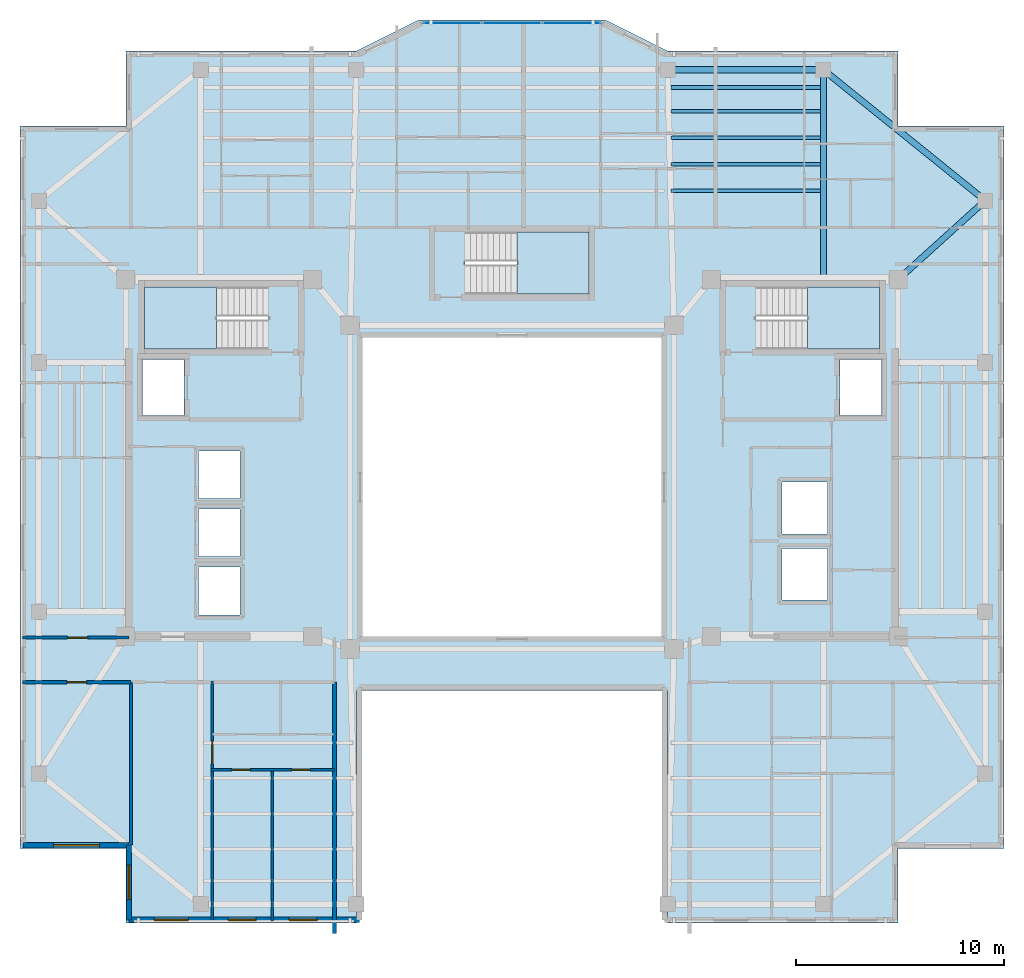
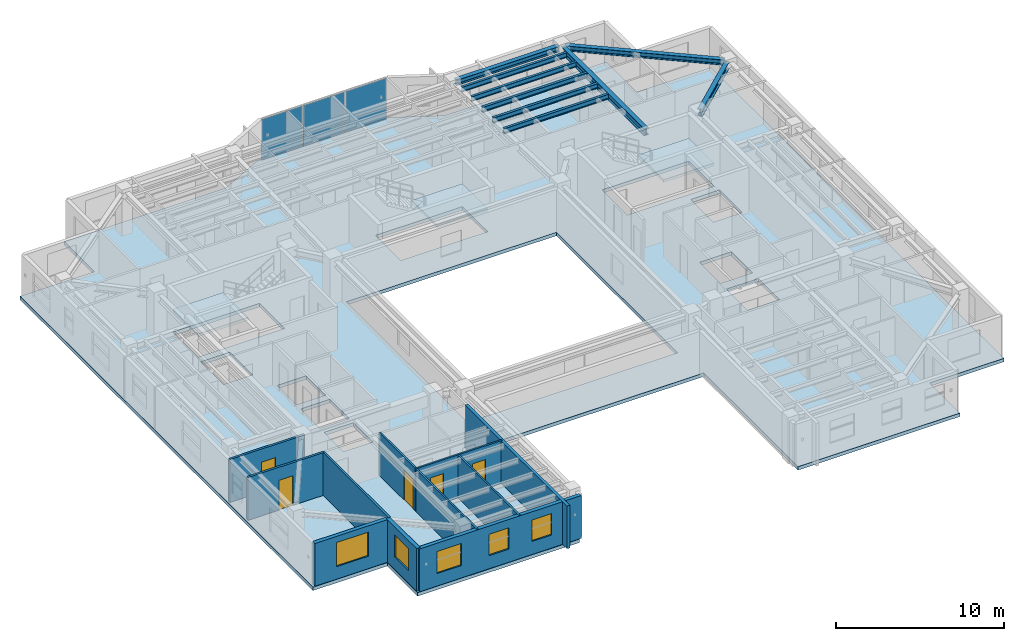
# One storey, part 3 of 12: 10 walls, 9 beams, 5 doors, 5 windows, 4 slabs, 3 plates, 10 openings, 4 elements without a shape of their own.
"""IFC4 building model written with IfcOpenShell, lengths in metres."""

from ifc_helpers import new_model, si_unit, direction, frame, frame_2d, origin, origin_2d, place, context, subcontext, project, spatial, polyline, rectangle, i_section, outline, extrude, material, layer, layer_set, material_profile, profile_set, type_object, element, fill, aggregate, save


model = new_model("IFC4")

# Units and contexts
model_context = context("Model", 3, precision=1e-05, world=origin(), true_north=direction((0.0, 1.0)))
body_context = subcontext(model_context, "Body", "Model", "MODEL_VIEW")
ifc_project = project(units=[si_unit("LENGTHUNIT", "METRE"), si_unit("AREAUNIT", "SQUARE_METRE"), si_unit("VOLUMEUNIT", "CUBIC_METRE"), si_unit("PLANEANGLEUNIT", "RADIAN"), si_unit("MASSUNIT", "GRAM", prefix="KILO")], contexts=[model_context])

# Site, building, storey
site_placement = place(None, origin())
site = spatial("IfcSite", under=ifc_project, at=site_placement, CompositionType="ELEMENT")
building_placement = place(site_placement, origin())
building = spatial("IfcBuilding", under=site, at=building_placement, Name="Tarnavaz Court Tower", CompositionType="ELEMENT")
storey_placement = place(building_placement, frame((0.0, 0.0, 203.64990234375)))
storey = spatial("IfcBuildingStorey", under=building, at=storey_placement, Name="L55", CompositionType="ELEMENT", Elevation=203.64990234375)

# Beams
ifc_material_1 = material(Name="Steel S355", Category="steel")
ifc_material_profile_1 = material_profile(ifc_material_1, i_section(OverallWidth=0.300048828125, OverallDepth=0.5, WebThickness=0.014404296875, FlangeThickness=0.028076171875, FilletRadius=0.027099609375, at=origin_2d()), Name="HEB 500")
ifc_profile_set_1 = profile_set([ifc_material_profile_1], Name="Steel S355")
beam_type_1 = type_object("IfcBeamType", Name="BM-G-HEB500", PredefinedType="USERDEFINED", material=ifc_profile_set_1)
beam_1_placement = place(storey_placement, frame((15.0, 10.0400390625, 2.85009765625), z_axis=(0.0, 1.0, 0.0), x_axis=(-1.0, 0.0, 0.0)))
element("IfcBeam", 1, at=beam_1_placement, inside=storey, type_object=beam_type_1, Name="L55 Beam RG-04", ObjectType="GIRDER", PredefinedType="USERDEFINED", context=body_context, shape_type="SweptSolid", body=[
    extrude(i_section(OverallWidth=0.300048828125, OverallDepth=0.5, WebThickness=0.014404296875, FlangeThickness=0.028076171875, FilletRadius=0.027099609375, at=origin_2d()), origin(), (0.0, 0.0, 1.0), 9.83984375),
])
beam_2_placement = place(storey_placement, frame((18.76318359375, 10.147705078125, 2.85009765625), z_axis=(0.741555708494, 0.670891296113, 0.0), x_axis=(-0.670891296113, 0.741555708494, 0.0)))
element("IfcBeam", 2, at=beam_2_placement, inside=storey, type_object=beam_type_1, Name="L55 Beam RG-12", ObjectType="GIRDER", PredefinedType="USERDEFINED", context=body_context, shape_type="SweptSolid", body=[
    extrude(i_section(OverallWidth=0.300048828125, OverallDepth=0.5, WebThickness=0.014404296875, FlangeThickness=0.028076171875, FilletRadius=0.027099609375, at=origin_2d()), origin(), (0.0, 0.0, 1.0), 5.223876953125),
])
ifc_material_profile_2 = material_profile(ifc_material_1, i_section(OverallWidth=0.169921875, OverallDepth=0.360107421875, WebThickness=0.008056640625, FlangeThickness=0.0126953125, FilletRadius=0.01806640625, at=origin_2d()), Name="IPE 360")
ifc_profile_set_2 = profile_set([ifc_material_profile_2], Name="Steel S355")
beam_type_2 = type_object("IfcBeamType", Name="BM-J-IPE360", PredefinedType="JOIST", material=ifc_profile_set_2)
for number, where, z_axis, x_axis, name in (
    (3, (7.64990234375, 14.278076171875, 2.920166015625), (1.0, 0.0, 0.0), (0.0, 1.0, 0.0), "L55 Beam JN1-3"),
    (4, (7.64990234375, 15.555908203125, 2.920166015625), (1.0, 0.0, 0.0), (0.0, 1.0, 0.0), "L55 Beam JN2-3"),
    (5, (7.64990234375, 16.833984375, 2.920166015625), (1.0, 0.0, 0.0), (0.0, 1.0, 0.0), "L55 Beam JN3-3"),
    (6, (7.64990234375, 18.112060546875, 2.920166015625), (1.0, 0.0, 0.0), (0.0, 1.0, 0.0), "L55 Beam JN4-3"),
    (7, (7.64990234375, 19.248046875, 2.920166015625), (1.0, 0.0, 0.0), (0.0, 1.0, 0.0), "L55 Beam JN5-3"),
):
    element("IfcBeam", number, at=place(storey_placement, frame(where, z_axis=z_axis, x_axis=x_axis)), inside=storey, type_object=beam_type_2, Name=name, PredefinedType="JOIST", context=body_context, shape_type="SweptSolid", body=[
        extrude(i_section(OverallWidth=0.169921875, OverallDepth=0.360107421875, WebThickness=0.008056640625, FlangeThickness=0.0126953125, FilletRadius=0.01806640625, at=origin_2d()), origin(), (0.0, 0.0, 1.0), 7.2001953125),
    ])
ifc_material_profile_3 = material_profile(ifc_material_1, i_section(OverallWidth=0.300048828125, OverallDepth=0.389892578125, WebThickness=0.010986328125, FlangeThickness=0.01904296875, FilletRadius=0.027099609375, at=origin_2d()), Name="HEA 400")
ifc_profile_set_3 = profile_set([ifc_material_profile_3], Name="Steel S355")
beam_type_3 = type_object("IfcBeamType", Name="BM-SP-HEA400", PredefinedType="BEAM", material=ifc_profile_set_3)
beam_3_placement = place(storey_placement, frame((7.719970703125, 20.10009765625, 2.905029296875), z_axis=(1.0, 0.0, 0.0), x_axis=(0.0, 1.0, 0.0)))
element("IfcBeam", 8, at=beam_3_placement, inside=storey, type_object=beam_type_3, Name="L55 Beam PR-PN-3-PN-4", PredefinedType="BEAM", context=body_context, shape_type="SweptSolid", body=[
    extrude(i_section(OverallWidth=0.300048828125, OverallDepth=0.389892578125, WebThickness=0.010986328125, FlangeThickness=0.01904296875, FilletRadius=0.027099609375, at=origin_2d()), origin(), (0.0, 0.0, 1.0), 7.06005859375),
])
beam_4_placement = place(storey_placement, frame((15.171142578125, 19.9619140625, 2.905029296875), z_axis=(0.777935913531, -0.628343627674, 0.0), x_axis=(0.628343627674, 0.777935913531, 0.0)))
element("IfcBeam", 9, at=beam_4_placement, inside=storey, type_object=beam_type_3, Name="L55 Beam PR-PN-4-PE-4", PredefinedType="BEAM", context=body_context, shape_type="SweptSolid", body=[
    extrude(i_section(OverallWidth=0.300048828125, OverallDepth=0.389892578125, WebThickness=0.010986328125, FlangeThickness=0.01904296875, FilletRadius=0.027099609375, at=origin_2d()), origin(), (0.0, 0.0, 1.0), 9.586669921875),
])

# Curtain wall, plates
ifc_material_2 = material(Name="Anodised Aluminium 6063-T6 and Solar Low-E Glazing", Category="aluminium")
ifc_layer_1 = layer(ifc_material_2, 0.159912109375)
ifc_layer_set_1 = layer_set([ifc_layer_1], Name="Anodised Aluminium 6063-T6 and Solar Low-E Glazing")
curtain_wall_type = type_object("IfcCurtainWallType", Name="CW-SYS-03", PredefinedType="NOTDEFINED", material=ifc_layer_set_1)
curtain_wall_placement = place(storey_placement, origin())
curtain_wall = element("IfcCurtainWall", 10, at=curtain_wall_placement, inside=storey, type_object=curtain_wall_type, Name="L55 Iwan Prow Curtain Wall 7", PredefinedType="NOTDEFINED")
ifc_material_3 = material(Name="Double-Glazed Solar Low-E Glass", Category="glass")
ifc_layer_2 = layer(ifc_material_3, 0.028076171875)
ifc_layer_set_2 = layer_set([ifc_layer_2], Name="Double-Glazed Solar Low-E Glass")
plate_type = type_object("IfcPlateType", Name="CW-PAN-GLZ28", PredefinedType="CURTAIN_PANEL", material=ifc_layer_set_2)
plate_1_placement = place(storey_placement, frame((-2.88134765625, 22.35009765625, 0.06494140625), z_axis=(0.0, 0.0, 1.0), x_axis=(1.0, 0.0, 0.0)))
plate_1 = element("IfcPlate", 11, at=plate_1_placement, type_object=plate_type, Name="CW panel 1.1", PredefinedType="CURTAIN_PANEL", context=body_context, shape_type="SweptSolid", body=[
    extrude(rectangle(XDim=2.78759765625, YDim=0.028076171875, at=origin_2d()), origin(), (0.0, 0.0, 1.0), 2.969970703125),
])
plate_2_placement = place(storey_placement, frame((0.0, 22.35009765625, 0.06494140625), z_axis=(0.0, 0.0, 1.0), x_axis=(1.0, 0.0, 0.0)))
plate_2 = element("IfcPlate", 12, at=plate_2_placement, type_object=plate_type, Name="CW panel 2.1", PredefinedType="CURTAIN_PANEL", context=body_context, shape_type="SweptSolid", body=[
    extrude(rectangle(XDim=2.824951171875, YDim=0.028076171875, at=origin_2d()), origin(), (0.0, 0.0, 1.0), 2.969970703125),
])
plate_3_placement = place(storey_placement, frame((2.88134765625, 22.35009765625, 0.06494140625), z_axis=(0.0, 0.0, 1.0), x_axis=(1.0, 0.0, 0.0)))
plate_3 = element("IfcPlate", 13, at=plate_3_placement, type_object=plate_type, Name="CW panel 3.1", PredefinedType="CURTAIN_PANEL", context=body_context, shape_type="SweptSolid", body=[
    extrude(rectangle(XDim=2.78759765625, YDim=0.028076171875, at=origin_2d()), origin(), (0.0, 0.0, 1.0), 2.969970703125),
])
aggregate(curtain_wall, [plate_1, plate_2, plate_3])

# Stair, slab
ifc_material_4 = material(Name="Concrete C40/50", Category="concrete")
stair_type = type_object("IfcStairType", Name="ST-TWR-20R", PredefinedType="HALF_TURN_STAIR", material=ifc_material_4)
stair_1_placement = place(storey_placement, origin())
stair_1 = element("IfcStair", 14, at=stair_1_placement, inside=storey, type_object=stair_type, Name="L55 West Core Pressurized Exit Stair ST-W1", PredefinedType="HALF_TURN_STAIR")
ifc_layer_3 = layer(ifc_material_4, 0.199951171875)
ifc_layer_set_3 = layer_set([ifc_layer_3], Name="Concrete C40/50")
slab_type_1 = type_object("IfcSlabType", Name="SL-LAND-200", PredefinedType="LANDING", material=ifc_layer_set_3)
slab_1_placement = place(storey_placement, frame((0.0, 0.0, 1.47509765625)))
slab_1 = element("IfcSlab", 15, at=slab_1_placement, type_object=slab_type_1, Name="ST-W1 landing 1", PredefinedType="LANDING", context=body_context, shape_type="SweptSolid", body=[
    extrude(outline(polyline([(-14.239990234375, 9.639892578125), (-17.699951171875, 9.639892578125), (-17.699951171875, 6.64990234375), (-14.239990234375, 6.64990234375), (-14.239990234375, 9.639892578125)])), origin(), (0.0, 0.0, 1.0), 0.199951171875),
])
aggregate(stair_1, [slab_1])

stair_2_placement = place(storey_placement, origin())
stair_2 = element("IfcStair", 16, at=stair_2_placement, inside=storey, type_object=stair_type, Name="L55 East Core Pressurized Exit Stair ST-E1", PredefinedType="HALF_TURN_STAIR")
slab_2_placement = place(storey_placement, frame((0.0, 0.0, 1.47509765625)))
slab_2 = element("IfcSlab", 17, at=slab_2_placement, type_object=slab_type_1, Name="ST-E1 landing 1", PredefinedType="LANDING", context=body_context, shape_type="SweptSolid", body=[
    extrude(outline(polyline([(14.239990234375, 6.64990234375), (17.699951171875, 6.64990234375), (17.699951171875, 9.639892578125), (14.239990234375, 9.639892578125), (14.239990234375, 6.64990234375)])), origin(), (0.0, 0.0, 1.0), 0.199951171875),
])
aggregate(stair_2, [slab_2])

stair_3_placement = place(storey_placement, origin())
stair_3 = element("IfcStair", 18, at=stair_3_placement, inside=storey, type_object=stair_type, Name="L55 North Ring Pressurized Exit Stair ST-N1", PredefinedType="HALF_TURN_STAIR")
slab_3_placement = place(storey_placement, frame((0.0, 0.0, 1.47509765625)))
slab_3 = element("IfcSlab", 19, at=slab_3_placement, type_object=slab_type_1, Name="ST-N1 landing 1", PredefinedType="LANDING", context=body_context, shape_type="SweptSolid", body=[
    extrude(outline(polyline([(0.239990234375, 9.300048828125), (3.699951171875, 9.300048828125), (3.699951171875, 12.2900390625), (0.239990234375, 12.2900390625), (0.239990234375, 9.300048828125)])), origin(), (0.0, 0.0, 1.0), 0.199951171875),
])
aggregate(stair_3, [slab_3])

# Slab
ifc_layer_4 = layer(ifc_material_4, 0.25)
ifc_layer_set_4 = layer_set([ifc_layer_4], Name="Concrete C40/50")
slab_type_2 = type_object("IfcSlabType", Name="SL-RES-250", PredefinedType="FLOOR", material=ifc_layer_set_4)
slab_4_placement = place(storey_placement, frame((0.0, 0.0, -0.25)))
element("IfcSlab", 20, at=slab_4_placement, inside=storey, type_object=slab_type_2, Name="L55 Structural Floor Slab", PredefinedType="FLOOR", context=body_context, shape_type="SweptSolid", body=[
    extrude(outline(polyline([(-18.60009765625, -21.0), (-7.5, -21.0), (-7.5, -9.800048828125), (7.5, -9.800048828125), (7.5, -21.0), (18.60009765625, -21.0), (18.60009765625, -17.39990234375), (23.699951171875, -17.39990234375), (23.699951171875, 17.39990234375), (18.60009765625, 17.39990234375), (18.60009765625, 21.0), (7.5, 21.0), (4.5, 22.5), (-4.5, 22.5), (-7.5, 21.0), (-18.60009765625, 21.0), (-18.60009765625, 17.39990234375), (-23.699951171875, 17.39990234375), (-23.699951171875, -17.39990234375), (-18.60009765625, -17.39990234375), (-18.60009765625, -21.0)]), holes=[polyline([(-7.199951171875, -7.199951171875), (7.199951171875, -7.199951171875), (7.199951171875, 7.199951171875), (-7.199951171875, 7.199951171875), (-7.199951171875, -7.199951171875)]), polyline([(-11.7451171875, 9.639892578125), (-17.699951171875, 9.639892578125), (-17.699951171875, 6.64990234375), (-11.7451171875, 6.64990234375), (-11.7451171875, 9.639892578125)]), polyline([(11.7451171875, 6.64990234375), (17.699951171875, 6.64990234375), (17.699951171875, 9.639892578125), (11.7451171875, 9.639892578125), (11.7451171875, 6.64990234375)]), polyline([(-2.2548828125, 9.300048828125), (3.699951171875, 9.300048828125), (3.699951171875, 12.2900390625), (-2.2548828125, 12.2900390625), (-2.2548828125, 9.300048828125)]), polyline([(-17.800048828125, 3.449951171875), (-15.800048828125, 3.449951171875), (-15.800048828125, 6.14990234375), (-17.800048828125, 6.14990234375), (-17.800048828125, 3.449951171875)]), polyline([(-15.10009765625, -6.14990234375), (-13.10009765625, -6.14990234375), (-13.10009765625, -3.85009765625), (-15.10009765625, -3.85009765625), (-15.10009765625, -6.14990234375)]), polyline([(-15.10009765625, -3.35009765625), (-13.10009765625, -3.35009765625), (-13.10009765625, -1.050048828125), (-15.10009765625, -1.050048828125), (-15.10009765625, -3.35009765625)]), polyline([(-15.10009765625, -0.550048828125), (-13.10009765625, -0.550048828125), (-13.10009765625, 1.75), (-15.10009765625, 1.75), (-15.10009765625, -0.550048828125)]), polyline([(15.800048828125, 3.449951171875), (17.800048828125, 3.449951171875), (17.800048828125, 6.14990234375), (15.800048828125, 6.14990234375), (15.800048828125, 3.449951171875)]), polyline([(13.0, -5.449951171875), (15.199951171875, -5.449951171875), (15.199951171875, -2.949951171875), (13.0, -2.949951171875), (13.0, -5.449951171875)]), polyline([(13.0, -2.25), (15.199951171875, -2.25), (15.199951171875, 0.25), (13.0, 0.25), (13.0, -2.25)])]), origin(), (0.0, 0.0, 1.0), 0.25),
])

# Wall, opening, window
ifc_material_5 = material(Name="Precast Concrete C40/50", Category="concrete")
ifc_layer_5 = layer(ifc_material_5, 0.260009765625)
ifc_layer_set_5 = layer_set([ifc_layer_5], Name="Precast Concrete C40/50")
wall_type_1 = type_object("IfcWallType", Name="WL-EXT-260", PredefinedType="SOLIDWALL", material=ifc_layer_set_5)
wall_1_placement = place(storey_placement, frame((-18.449951171875, -17.25, 0.0), z_axis=(0.0, 0.0, 1.0), x_axis=(-1.0, 0.0, 0.0)))
wall_1 = element("IfcWall", 21, at=wall_1_placement, inside=storey, type_object=wall_type_1, Name="L55 Exterior Terracotta Facade Wall 01", PredefinedType="SOLIDWALL", context=body_context, shape_type="SweptSolid", body=[
    extrude(rectangle(XDim=5.10009765625, YDim=0.260009765625, at=frame_2d((2.550048828125, 0.0))), origin(), (0.0, 0.0, 1.0), 3.10009765625),
])
opening_1_placement = place(wall_1_placement, frame((1.425048828125, 0.0, 0.89990234375)))
opening_1 = element("IfcOpeningElement", 22, at=opening_1_placement, cuts=wall_1, Name="Opening W07", PredefinedType="OPENING", context=body_context, shape_type="SweptSolid", body=[
    extrude(rectangle(XDim=2.199951171875, YDim=1.75, at=frame_2d((1.10009765625, 0.875))), frame((0.0, 0.139892578125, 0.0), z_axis=(0.0, -1.0, 0.0), x_axis=(1.0, 0.0, 0.0)), (0.0, 0.0, 1.0), 0.280029296875),
])
window_type_1 = type_object("IfcWindowType", Name="WN-APT-2200", PartitioningType="TRIPLE_PANEL_VERTICAL", PredefinedType="WINDOW", material=ifc_material_3)
window_1_placement = place(opening_1_placement, origin())
window_1 = element("IfcWindow", 23, at=window_1_placement, inside=storey, type_object=window_type_1, Name="L55 South-West Corner Reading Room Window", OverallHeight=1.75, OverallWidth=2.199951171875, PartitioningType="SINGLE_PANEL", PredefinedType="WINDOW", context=body_context, shape_type="SweptSolid", body=[
    extrude(rectangle(XDim=2.199951171875, YDim=1.75, at=frame_2d((1.10009765625, 0.875))), frame((0.0, 0.030029296875, 0.0), z_axis=(0.0, -1.0, 0.0), x_axis=(1.0, 0.0, 0.0)), (0.0, 0.0, 1.0), 0.06005859375),
])
fill(opening_1, window_1)

# Wall, openings, windows
wall_2_placement = place(storey_placement, frame((-7.35009765625, -20.85009765625, 0.0), z_axis=(0.0, 0.0, 1.0), x_axis=(-1.0, 0.0, 0.0)))
wall_2 = element("IfcWall", 24, at=wall_2_placement, inside=storey, type_object=wall_type_1, Name="L55 Exterior Terracotta Facade Wall 19", PredefinedType="SOLIDWALL", context=body_context, shape_type="SweptSolid", body=[
    extrude(rectangle(XDim=11.099853515625, YDim=0.260009765625, at=frame_2d((5.5498046875, 0.0))), origin(), (0.0, 0.0, 1.0), 3.10009765625),
])
opening_2_placement = place(wall_2_placement, frame((2.037109375, 0.0, 0.949951171875)))
opening_2 = element("IfcOpeningElement", 25, at=opening_2_placement, cuts=wall_2, Name="Opening W04", PredefinedType="OPENING", context=body_context, shape_type="SweptSolid", body=[
    extrude(rectangle(XDim=1.35009765625, YDim=1.550048828125, at=frame_2d((0.675048828125, 0.77490234375))), frame((0.0, 0.139892578125, 0.0), z_axis=(0.0, -1.0, 0.0), x_axis=(1.0, 0.0, 0.0)), (0.0, 0.0, 1.0), 0.280029296875),
])
opening_3_placement = place(wall_2_placement, frame((4.9755859375, 0.0, 0.949951171875)))
opening_3 = element("IfcOpeningElement", 26, at=opening_3_placement, cuts=wall_2, Name="Opening W04", PredefinedType="OPENING", context=body_context, shape_type="SweptSolid", body=[
    extrude(rectangle(XDim=1.35009765625, YDim=1.550048828125, at=frame_2d((0.675048828125, 0.77490234375))), frame((0.0, 0.139892578125, 0.0), z_axis=(0.0, -1.0, 0.0), x_axis=(1.0, 0.0, 0.0)), (0.0, 0.0, 1.0), 0.280029296875),
])
opening_4_placement = place(wall_2_placement, frame((8.24072265625, 0.0, 0.89990234375)))
opening_4 = element("IfcOpeningElement", 27, at=opening_4_placement, cuts=wall_2, Name="Opening W02", PredefinedType="OPENING", context=body_context, shape_type="SweptSolid", body=[
    extrude(rectangle(XDim=1.64990234375, YDim=1.60009765625, at=frame_2d((0.824951171875, 0.800048828125))), frame((0.0, 0.139892578125, 0.0), z_axis=(0.0, -1.0, 0.0), x_axis=(1.0, 0.0, 0.0)), (0.0, 0.0, 1.0), 0.280029296875),
])
window_type_2 = type_object("IfcWindowType", Name="WN-APT-1350", PartitioningType="SINGLE_PANEL", PredefinedType="WINDOW", material=ifc_material_3)
window_2_placement = place(opening_2_placement, origin())
window_2 = element("IfcWindow", 28, at=window_2_placement, inside=storey, type_object=window_type_2, Name="L55 Flat 05 Bedroom 2 Window", OverallHeight=1.550048828125, OverallWidth=1.35009765625, PartitioningType="SINGLE_PANEL", PredefinedType="WINDOW", context=body_context, shape_type="SweptSolid", body=[
    extrude(rectangle(XDim=1.35009765625, YDim=1.550048828125, at=frame_2d((0.675048828125, 0.77490234375))), frame((0.0, 0.030029296875, 0.0), z_axis=(0.0, -1.0, 0.0), x_axis=(1.0, 0.0, 0.0)), (0.0, 0.0, 1.0), 0.06005859375),
])
fill(opening_2, window_2)
window_3_placement = place(opening_3_placement, origin())
window_3 = element("IfcWindow", 29, at=window_3_placement, inside=storey, type_object=window_type_2, Name="L55 Flat 05 Principal Bedroom Window", OverallHeight=1.550048828125, OverallWidth=1.35009765625, PartitioningType="SINGLE_PANEL", PredefinedType="WINDOW", context=body_context, shape_type="SweptSolid", body=[
    extrude(rectangle(XDim=1.35009765625, YDim=1.550048828125, at=frame_2d((0.675048828125, 0.77490234375))), frame((0.0, 0.030029296875, 0.0), z_axis=(0.0, -1.0, 0.0), x_axis=(1.0, 0.0, 0.0)), (0.0, 0.0, 1.0), 0.06005859375),
])
fill(opening_3, window_3)
window_type_3 = type_object("IfcWindowType", Name="WN-APT-1650", PartitioningType="DOUBLE_PANEL_VERTICAL", PredefinedType="WINDOW", material=ifc_material_3)
window_4_placement = place(opening_4_placement, origin())
window_4 = element("IfcWindow", 30, at=window_4_placement, inside=storey, type_object=window_type_3, Name="L55 Flat 05 Living and Dining Room Window", OverallHeight=1.60009765625, OverallWidth=1.64990234375, PartitioningType="SINGLE_PANEL", PredefinedType="WINDOW", context=body_context, shape_type="SweptSolid", body=[
    extrude(rectangle(XDim=1.64990234375, YDim=1.60009765625, at=frame_2d((0.824951171875, 0.800048828125))), frame((0.0, 0.030029296875, 0.0), z_axis=(0.0, -1.0, 0.0), x_axis=(1.0, 0.0, 0.0)), (0.0, 0.0, 1.0), 0.06005859375),
])
fill(opening_4, window_4)

# Wall, opening, window
wall_3_placement = place(storey_placement, frame((-18.449951171875, -20.85009765625, 0.0), z_axis=(0.0, 0.0, 1.0), x_axis=(0.0, 1.0, 0.0)))
wall_3 = element("IfcWall", 31, at=wall_3_placement, inside=storey, type_object=wall_type_1, Name="L55 Exterior Terracotta Facade Wall 20", PredefinedType="SOLIDWALL", context=body_context, shape_type="SweptSolid", body=[
    extrude(rectangle(XDim=3.60009765625, YDim=0.260009765625, at=frame_2d((1.800048828125, 0.0))), origin(), (0.0, 0.0, 1.0), 3.10009765625),
])
opening_5_placement = place(wall_3_placement, frame((0.992431640625, 0.0, 0.89990234375)))
opening_5 = element("IfcOpeningElement", 32, at=opening_5_placement, cuts=wall_3, Name="Opening W02", PredefinedType="OPENING", context=body_context, shape_type="SweptSolid", body=[
    extrude(rectangle(XDim=1.64990234375, YDim=1.60009765625, at=frame_2d((0.824951171875, 0.800048828125))), frame((0.0, 0.139892578125, 0.0), z_axis=(0.0, -1.0, 0.0), x_axis=(1.0, 0.0, 0.0)), (0.0, 0.0, 1.0), 0.280029296875),
])
window_5_placement = place(opening_5_placement, origin())
window_5 = element("IfcWindow", 33, at=window_5_placement, inside=storey, type_object=window_type_3, Name="L55 Flat 05 Living and Dining Room Window", OverallHeight=1.60009765625, OverallWidth=1.64990234375, PartitioningType="SINGLE_PANEL", PredefinedType="WINDOW", context=body_context, shape_type="SweptSolid", body=[
    extrude(rectangle(XDim=1.64990234375, YDim=1.60009765625, at=frame_2d((0.824951171875, 0.800048828125))), frame((0.0, 0.030029296875, 0.0), z_axis=(0.0, -1.0, 0.0), x_axis=(1.0, 0.0, 0.0)), (0.0, 0.0, 1.0), 0.06005859375),
])
fill(opening_5, window_5)

# Wall, opening, door
ifc_material_6 = material(Name="Gypsum Fire-Board on Acoustic Metal Stud", Category="masonry")
ifc_layer_6 = layer(ifc_material_6, 0.14990234375)
ifc_layer_set_6 = layer_set([ifc_layer_6], Name="Gypsum Fire-Board on Acoustic Metal Stud")
wall_type_2 = type_object("IfcWallType", Name="WL-FIRE-150", PredefinedType="PARTITIONING", material=ifc_layer_set_6)
wall_4_placement = place(storey_placement, frame((-23.580078125, -7.25, 0.0), z_axis=(0.0, 0.0, 1.0), x_axis=(1.0, 0.0, 0.0)))
wall_4 = element("IfcWall", 34, at=wall_4_placement, inside=storey, type_object=wall_type_2, Name="L55 Interior Partition 103", PredefinedType="PARTITIONING", context=body_context, shape_type="SweptSolid", body=[
    extrude(rectangle(XDim=5.130126953125, YDim=0.14990234375, at=frame_2d((2.56494140625, 0.0))), origin(), (0.0, 0.0, 1.0), 3.10009765625),
])
opening_6_placement = place(wall_4_placement, frame((2.179931640625, 0.0, 0.0)))
opening_6 = element("IfcOpeningElement", 35, at=opening_6_placement, cuts=wall_4, Name="Opening D06", PredefinedType="OPENING", context=body_context, shape_type="SweptSolid", body=[
    extrude(rectangle(XDim=0.9599609375, YDim=2.14990234375, at=frame_2d((0.47998046875, 1.074951171875))), frame((0.0, 0.0849609375, 0.0), z_axis=(0.0, -1.0, 0.0), x_axis=(1.0, 0.0, 0.0)), (0.0, 0.0, 1.0), 0.169921875),
])
ifc_material_7 = material(Name="Fire-Rated Hardwood Timber Core", Category="wood")
door_type_1 = type_object("IfcDoorType", Name="DR-FD60-950", OperationType="NOTDEFINED", PredefinedType="DOOR", material=ifc_material_7)
door_1_placement = place(opening_6_placement, origin())
door_1 = element("IfcDoor", 36, at=door_1_placement, inside=storey, type_object=door_type_1, Name="L55 Flat 07 Entrance Door", OperationType="SINGLE_SWING_RIGHT", OverallHeight=2.14990234375, OverallWidth=0.9599609375, PredefinedType="DOOR", context=body_context, shape_type="SweptSolid", body=[
    extrude(rectangle(XDim=0.9599609375, YDim=2.14990234375, at=frame_2d((0.47998046875, 1.074951171875))), frame((0.0, 0.02490234375, 0.0), z_axis=(0.0, -1.0, 0.0), x_axis=(1.0, 0.0, 0.0)), (0.0, 0.0, 1.0), 0.050048828125),
])
fill(opening_6, door_1)

wall_5_placement = place(storey_placement, frame((-23.580078125, -9.39990234375, 0.0), z_axis=(0.0, 0.0, 1.0), x_axis=(1.0, 0.0, 0.0)))
wall_5 = element("IfcWall", 37, at=wall_5_placement, inside=storey, type_object=wall_type_2, Name="L55 Interior Partition 113", PredefinedType="PARTITIONING", context=body_context, shape_type="SweptSolid", body=[
    extrude(rectangle(XDim=5.22998046875, YDim=0.14990234375, at=frame_2d((2.614990234375, 0.0))), origin(), (0.0, 0.0, 1.0), 3.10009765625),
])
opening_7_placement = place(wall_5_placement, frame((2.139892578125, 0.0, 0.0)))
opening_7 = element("IfcOpeningElement", 38, at=opening_7_placement, cuts=wall_5, Name="Opening D13", PredefinedType="OPENING", context=body_context, shape_type="SweptSolid", body=[
    extrude(rectangle(XDim=0.949951171875, YDim=2.14990234375, at=frame_2d((0.47509765625, 1.074951171875))), frame((0.0, 0.0849609375, 0.0), z_axis=(0.0, -1.0, 0.0), x_axis=(1.0, 0.0, 0.0)), (0.0, 0.0, 1.0), 0.169921875),
])
ifc_material_8 = material(Name="Engineered Oak Timber", Category="wood")
door_type_2 = type_object("IfcDoorType", Name="DR-INT-950", OperationType="NOTDEFINED", PredefinedType="DOOR", material=ifc_material_8)
door_2_placement = place(opening_7_placement, origin())
door_2 = element("IfcDoor", 39, at=door_2_placement, inside=storey, type_object=door_type_2, Name="L55 SW Reading Room Door", OperationType="SINGLE_SWING_RIGHT", OverallHeight=2.14990234375, OverallWidth=0.949951171875, PredefinedType="DOOR", context=body_context, shape_type="SweptSolid", body=[
    extrude(rectangle(XDim=0.949951171875, YDim=2.14990234375, at=frame_2d((0.47509765625, 1.074951171875))), frame((0.0, 0.02490234375, 0.0), z_axis=(0.0, -1.0, 0.0), x_axis=(1.0, 0.0, 0.0)), (0.0, 0.0, 1.0), 0.050048828125),
])
fill(opening_7, door_2)

# Wall
ifc_material_9 = material(Name="Autoclaved Aerated Concrete Blockwork", Category="masonry")
ifc_layer_7 = layer(ifc_material_9, 0.199951171875)
ifc_layer_set_7 = layer_set([ifc_layer_7], Name="Autoclaved Aerated Concrete Blockwork")
wall_type_3 = type_object("IfcWallType", Name="WL-FIRE-200", PredefinedType="SOLIDWALL", material=ifc_layer_set_7)
wall_6_placement = place(storey_placement, frame((-8.550048828125, -21.50390625, 0.0), z_axis=(0.0, 0.0, 1.0), x_axis=(0.0, 1.0, 0.0)))
element("IfcWall", 40, at=wall_6_placement, inside=storey, type_object=wall_type_3, Name="L55 Party Wall 101", PredefinedType="SOLIDWALL", context=body_context, shape_type="SweptSolid", body=[
    extrude(rectangle(XDim=12.10400390625, YDim=0.199951171875, at=frame_2d((6.052001953125, 0.0))), origin(), (0.0, 0.0, 1.0), 3.10009765625),
])

# Wall, opening, door
ifc_material_10 = material(Name="Moisture-Resistant Gypsum Board Partition", Category="masonry")
ifc_layer_8 = layer(ifc_material_10, 0.1201171875)
ifc_layer_set_8 = layer_set([ifc_layer_8], Name="Moisture-Resistant Gypsum Board Partition")
wall_type_4 = type_object("IfcWallType", Name="WL-PART-120", PredefinedType="PARTITIONING", material=ifc_layer_set_8)
wall_7_placement = place(storey_placement, frame((-14.43798828125, -20.89990234375, 0.0), z_axis=(0.0, 0.0, 1.0), x_axis=(0.0, 1.0, 0.0)))
wall_7 = element("IfcWall", 41, at=wall_7_placement, inside=storey, type_object=wall_type_4, Name="L55 Interior Partition 089", PredefinedType="PARTITIONING", context=body_context, shape_type="SweptSolid", body=[
    extrude(rectangle(XDim=11.559814453125, YDim=0.1201171875, at=frame_2d((5.77978515625, 0.0))), origin(), (0.0, 0.0, 1.0), 3.10009765625),
])
opening_8_placement = place(wall_7_placement, frame((7.56494140625, 0.0, 0.0)))
opening_8 = element("IfcOpeningElement", 42, at=opening_8_placement, cuts=wall_7, Name="Opening D12", PredefinedType="OPENING", context=body_context, shape_type="SweptSolid", body=[
    extrude(rectangle(XDim=1.080078125, YDim=2.14990234375, at=frame_2d((0.5400390625, 1.074951171875))), frame((0.0, 0.070068359375, 0.0), z_axis=(0.0, -1.0, 0.0), x_axis=(1.0, 0.0, 0.0)), (0.0, 0.0, 1.0), 0.14013671875),
])
door_type_3 = type_object("IfcDoorType", Name="DR-INT-1100", OperationType="NOTDEFINED", PredefinedType="DOOR", material=ifc_material_8)
door_3_placement = place(opening_8_placement, origin())
door_3 = element("IfcDoor", 43, at=door_3_placement, inside=storey, type_object=door_type_3, Name="L55 Flat 05 Foyer Door", OperationType="SINGLE_SWING_LEFT", OverallHeight=2.14990234375, OverallWidth=1.080078125, PredefinedType="DOOR", context=body_context, shape_type="SweptSolid", body=[
    extrude(rectangle(XDim=1.080078125, YDim=2.14990234375, at=frame_2d((0.5400390625, 1.074951171875))), frame((0.0, 0.02490234375, 0.0), z_axis=(0.0, -1.0, 0.0), x_axis=(1.0, 0.0, 0.0)), (0.0, 0.0, 1.0), 0.050048828125),
])
fill(opening_8, door_3)

# Wall, openings, doors
wall_8_placement = place(storey_placement, frame((-14.498046875, -13.6201171875, 0.0), z_axis=(0.0, 0.0, 1.0), x_axis=(1.0, 0.0, 0.0)))
wall_8 = element("IfcWall", 44, at=wall_8_placement, inside=storey, type_object=wall_type_4, Name="L55 Interior Partition 092", PredefinedType="PARTITIONING", context=body_context, shape_type="SweptSolid", body=[
    extrude(rectangle(XDim=5.9580078125, YDim=0.1201171875, at=frame_2d((2.97900390625, 0.0))), origin(), (0.0, 0.0, 1.0), 3.10009765625),
])
opening_9_placement = place(wall_8_placement, frame((1.0048828125, 0.0, 0.0)))
opening_9 = element("IfcOpeningElement", 45, at=opening_9_placement, cuts=wall_8, Name="Opening D14", PredefinedType="OPENING", context=body_context, shape_type="SweptSolid", body=[
    extrude(rectangle(XDim=0.8798828125, YDim=2.10009765625, at=frame_2d((0.43994140625, 1.050048828125))), frame((0.0, 0.070068359375, 0.0), z_axis=(0.0, -1.0, 0.0), x_axis=(1.0, 0.0, 0.0)), (0.0, 0.0, 1.0), 0.14013671875),
])
opening_10_placement = place(wall_8_placement, frame((3.89404296875, 0.0, 0.0)))
opening_10 = element("IfcOpeningElement", 46, at=opening_10_placement, cuts=wall_8, Name="Opening D14", PredefinedType="OPENING", context=body_context, shape_type="SweptSolid", body=[
    extrude(rectangle(XDim=0.8798828125, YDim=2.10009765625, at=frame_2d((0.43994140625, 1.050048828125))), frame((0.0, 0.070068359375, 0.0), z_axis=(0.0, -1.0, 0.0), x_axis=(1.0, 0.0, 0.0)), (0.0, 0.0, 1.0), 0.14013671875),
])
door_type_4 = type_object("IfcDoorType", Name="DR-INT-900", OperationType="NOTDEFINED", PredefinedType="DOOR", material=ifc_material_8)
door_4_placement = place(opening_9_placement, origin())
door_4 = element("IfcDoor", 47, at=door_4_placement, inside=storey, type_object=door_type_4, Name="L55 Flat 05 Bedroom 1 Door", OperationType="SINGLE_SWING_RIGHT", OverallHeight=2.10009765625, OverallWidth=0.8798828125, PredefinedType="DOOR", context=body_context, shape_type="SweptSolid", body=[
    extrude(rectangle(XDim=0.8798828125, YDim=2.10009765625, at=frame_2d((0.43994140625, 1.050048828125))), frame((0.0, 0.02490234375, 0.0), z_axis=(0.0, -1.0, 0.0), x_axis=(1.0, 0.0, 0.0)), (0.0, 0.0, 1.0), 0.050048828125),
])
fill(opening_9, door_4)
door_5_placement = place(opening_10_placement, origin())
door_5 = element("IfcDoor", 48, at=door_5_placement, inside=storey, type_object=door_type_4, Name="L55 Flat 05 Bedroom 2 Door", OperationType="SINGLE_SWING_LEFT", OverallHeight=2.10009765625, OverallWidth=0.8798828125, PredefinedType="DOOR", context=body_context, shape_type="SweptSolid", body=[
    extrude(rectangle(XDim=0.8798828125, YDim=2.10009765625, at=frame_2d((0.43994140625, 1.050048828125))), frame((0.0, 0.02490234375, 0.0), z_axis=(0.0, -1.0, 0.0), x_axis=(1.0, 0.0, 0.0)), (0.0, 0.0, 1.0), 0.050048828125),
])
fill(opening_10, door_5)

# Walls
wall_9_placement = place(storey_placement, frame((-11.549072265625, -20.89990234375, 0.0), z_axis=(0.0, 0.0, 1.0), x_axis=(0.0, 1.0, 0.0)))
element("IfcWall", 49, at=wall_9_placement, inside=storey, type_object=wall_type_4, Name="L55 Interior Partition 094", PredefinedType="PARTITIONING", context=body_context, shape_type="SweptSolid", body=[
    extrude(rectangle(XDim=7.33984375, YDim=0.1201171875, at=frame_2d((3.669921875, 0.0))), origin(), (0.0, 0.0, 1.0), 3.10009765625),
])
ifc_material_11 = material(Name="Gypsum Plasterboard Acoustic Partition", Category="masonry")
ifc_layer_9 = layer(ifc_material_11, 0.139892578125)
ifc_layer_set_9 = layer_set([ifc_layer_9], Name="Gypsum Plasterboard Acoustic Partition")
wall_type_5 = type_object("IfcWallType", Name="WL-PART-150", PredefinedType="PARTITIONING", material=ifc_layer_set_9)
wall_10_placement = place(storey_placement, frame((-18.35009765625, -17.25, 0.0), z_axis=(0.0, 0.0, 1.0), x_axis=(0.0, 1.0, 0.0)))
element("IfcWall", 50, at=wall_10_placement, inside=storey, type_object=wall_type_5, Name="L55 Interior Partition 107", PredefinedType="PARTITIONING", context=body_context, shape_type="SweptSolid", body=[
    extrude(rectangle(XDim=7.85009765625, YDim=0.139892578125, at=frame_2d((3.925048828125, 0.0))), origin(), (0.0, 0.0, 1.0), 3.10009765625),
])

save(model, "model.ifc")
